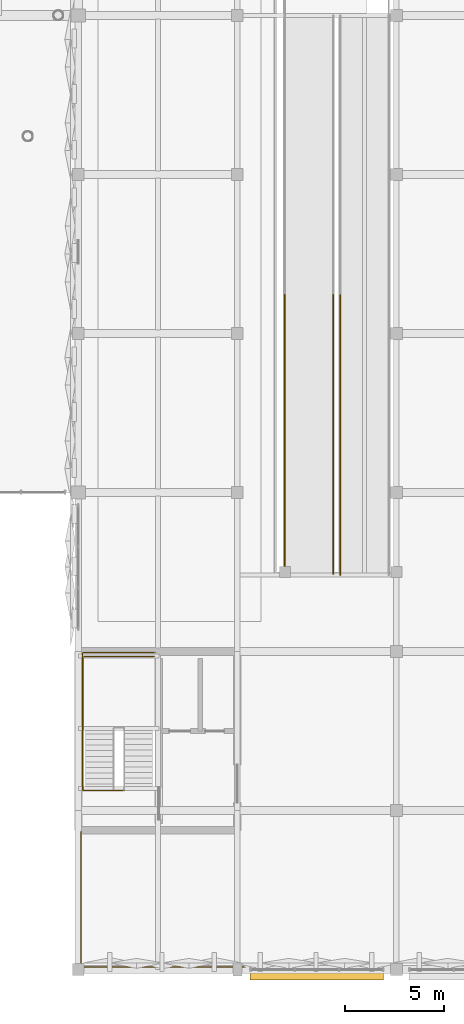
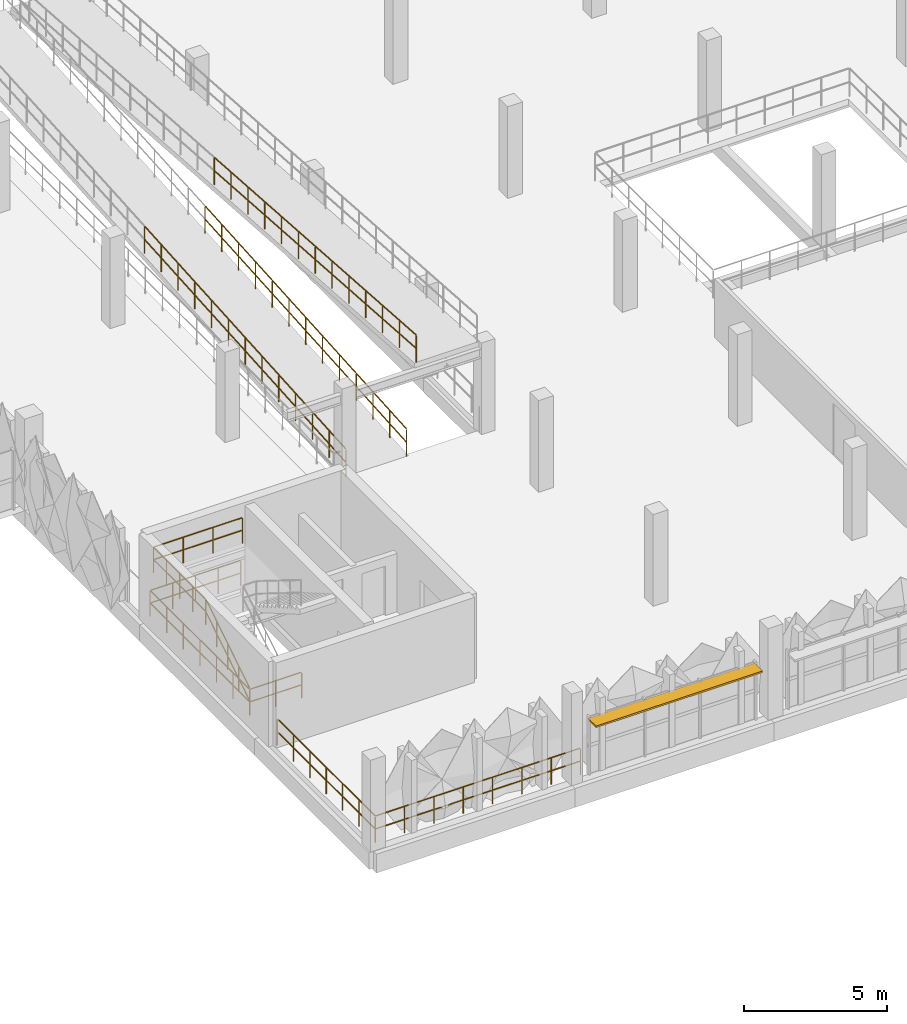
# One storey, part 115 of 123: 6 railings, 1 shading device.
"""IFC4 building model written with IfcOpenShell, lengths in metres."""

from ifc_helpers import new_model, si_unit, derived_unit, direction, frame, origin, origin_2d, place, context, subcontext, project, spatial, rectangle, circle, extrude, material, material_profile, profile_set, type_object, element, save


model = new_model("IFC4")

# Units and contexts
model_context = context("Model", 3, precision=1e-05, world=origin(), true_north=direction((0.0, 1.0)))
body_context = subcontext(model_context, "Body", "Model", "MODEL_VIEW")
ifc_project = project(units=[si_unit("LENGTHUNIT", "METRE"), si_unit("AREAUNIT", "SQUARE_METRE"), si_unit("VOLUMEUNIT", "CUBIC_METRE"), si_unit("PLANEANGLEUNIT", "RADIAN"), si_unit("MASSUNIT", "GRAM", prefix="KILO"), si_unit("THERMODYNAMICTEMPERATUREUNIT", "KELVIN"), derived_unit("THERMALTRANSMITTANCEUNIT", [(si_unit("POWERUNIT", "WATT"), 1), (si_unit("AREAUNIT", "SQUARE_METRE"), -1), (si_unit("THERMODYNAMICTEMPERATUREUNIT", "KELVIN"), -1)])], contexts=[model_context])

# Site, building, storey
site_placement = place(None, origin())
site = spatial("IfcSite", under=ifc_project, at=site_placement, CompositionType="ELEMENT")
building_placement = place(site_placement, origin())
building = spatial("IfcBuilding", under=site, at=building_placement, Name="Haiyu Intermodal Mobility Hub", CompositionType="ELEMENT")
storey_placement = place(building_placement, frame((0.0, 0.0, 5.60009765625)))
storey = spatial("IfcBuildingStorey", under=building, at=storey_placement, Name="L01", CompositionType="ELEMENT", Elevation=5.60009765625)

# Railings
ifc_material_1 = material(Name="Steel Q355C", Category="steel")
railing_type = type_object("IfcRailingType", Name="RAL-GR03", PredefinedType="GUARDRAIL", material=ifc_material_1)
railing_1_placement = place(storey_placement, frame((164.3798828125, 35.89990234375, 0.0)))
element("IfcRailing", 1, at=railing_1_placement, inside=storey, type_object=railing_type, Name="RAL-RMP-BIKE-L01-F1WA", PredefinedType="GUARDRAIL", context=body_context, shape_type="SweptSolid", body=[
    extrude(circle(Radius=0.02392578125, at=origin_2d()), frame((0.0, 0.030029296875, 1.157958984375), z_axis=(0.0, 0.997601562369, 0.069217936689), x_axis=(-1.0, 0.0, 0.0)), (0.0, 0.0, 1.0), 14.02392578125),
    extrude(circle(Radius=0.02392578125, at=origin_2d()), frame((0.0, 0.037109375, 0.592529296875), z_axis=(0.0, 0.997601562369, 0.069217936689), x_axis=(-1.0, 0.0, 0.0)), (0.0, 0.0, 1.0), 1.09912109375),
    extrude(circle(Radius=0.02392578125, at=origin_2d()), frame((0.0, 1.2080078125, 0.673828125), z_axis=(0.0, 0.997601562369, 0.069217936689), x_axis=(-1.0, 0.0, 0.0)), (0.0, 0.0, 1.0), 1.09912109375),
    extrude(circle(Radius=0.02392578125, at=origin_2d()), frame((0.0, 2.37890625, 0.755126953125), z_axis=(0.0, 0.997601562369, 0.069217936689), x_axis=(-1.0, 0.0, 0.0)), (0.0, 0.0, 1.0), 1.09912109375),
    extrude(circle(Radius=0.02392578125, at=origin_2d()), frame((0.0, 3.5498046875, 0.836181640625), z_axis=(0.0, 0.997601562369, 0.069217936689), x_axis=(-1.0, 0.0, 0.0)), (0.0, 0.0, 1.0), 1.09912109375),
    extrude(circle(Radius=0.02392578125, at=origin_2d()), frame((0.0, 4.720458984375, 0.91748046875), z_axis=(0.0, 0.997601562369, 0.069217936689), x_axis=(-1.0, 0.0, 0.0)), (0.0, 0.0, 1.0), 1.09912109375),
    extrude(circle(Radius=0.02392578125, at=origin_2d()), frame((0.0, 5.891357421875, 0.998779296875), z_axis=(0.0, 0.997601562369, 0.069217936689), x_axis=(-1.0, 0.0, 0.0)), (0.0, 0.0, 1.0), 1.09912109375),
    extrude(circle(Radius=0.02392578125, at=origin_2d()), frame((0.0, 7.062255859375, 1.080078125), z_axis=(0.0, 0.997601562369, 0.069217936689), x_axis=(-1.0, 0.0, 0.0)), (0.0, 0.0, 1.0), 1.09912109375),
    extrude(circle(Radius=0.02392578125, at=origin_2d()), frame((0.0, 8.233154296875, 1.1611328125), z_axis=(0.0, 0.997601562369, 0.069217936689), x_axis=(-1.0, 0.0, 0.0)), (0.0, 0.0, 1.0), 1.09912109375),
    extrude(circle(Radius=0.02392578125, at=origin_2d()), frame((0.0, 9.40380859375, 1.242431640625), z_axis=(0.0, 0.997601562369, 0.069217936689), x_axis=(-1.0, 0.0, 0.0)), (0.0, 0.0, 1.0), 1.09912109375),
    extrude(circle(Radius=0.02392578125, at=origin_2d()), frame((0.0, 10.57470703125, 1.32373046875), z_axis=(0.0, 0.997601562369, 0.069217936689), x_axis=(-1.0, 0.0, 0.0)), (0.0, 0.0, 1.0), 1.09912109375),
    extrude(circle(Radius=0.02392578125, at=origin_2d()), frame((0.0, 11.74560546875, 1.405029296875), z_axis=(0.0, 0.997601562369, 0.069217936689), x_axis=(-1.0, 0.0, 0.0)), (0.0, 0.0, 1.0), 1.09912109375),
    extrude(circle(Radius=0.02392578125, at=origin_2d()), frame((0.0, 12.91650390625, 1.486083984375), z_axis=(0.0, 0.997601562369, 0.069217936689), x_axis=(-1.0, 0.0, 0.0)), (0.0, 0.0, 1.0), 1.09912109375),
    extrude(circle(Radius=0.02099609375, at=origin_2d()), origin(), (0.0, 0.0, 1.0), 1.123779296875),
    extrude(circle(Radius=0.02099609375, at=origin_2d()), frame((0.0, 1.1708984375, 0.081298828125)), (0.0, 0.0, 1.0), 1.123779296875),
    extrude(circle(Radius=0.02099609375, at=origin_2d()), frame((0.0, 2.341796875, 0.16259765625)), (0.0, 0.0, 1.0), 1.123779296875),
    extrude(circle(Radius=0.02099609375, at=origin_2d()), frame((0.0, 3.512451171875, 0.24365234375)), (0.0, 0.0, 1.0), 1.123779296875),
    extrude(circle(Radius=0.02099609375, at=origin_2d()), frame((0.0, 4.683349609375, 0.324951171875)), (0.0, 0.0, 1.0), 1.123779296875),
    extrude(circle(Radius=0.02099609375, at=origin_2d()), frame((0.0, 5.854248046875, 0.40625)), (0.0, 0.0, 1.0), 1.123779296875),
    extrude(circle(Radius=0.02099609375, at=origin_2d()), frame((0.0, 7.02490234375, 0.4873046875)), (0.0, 0.0, 1.0), 1.123779296875),
    extrude(circle(Radius=0.02099609375, at=origin_2d()), frame((0.0, 8.19580078125, 0.568603515625)), (0.0, 0.0, 1.0), 1.123779296875),
    extrude(circle(Radius=0.02099609375, at=origin_2d()), frame((0.0, 9.36669921875, 0.64990234375)), (0.0, 0.0, 1.0), 1.123779296875),
    extrude(circle(Radius=0.02099609375, at=origin_2d()), frame((0.0, 10.53759765625, 0.731201171875)), (0.0, 0.0, 1.0), 1.123779296875),
    extrude(circle(Radius=0.02099609375, at=origin_2d()), frame((0.0, 11.70849609375, 0.8125)), (0.0, 0.0, 1.0), 1.123779296875),
    extrude(circle(Radius=0.02099609375, at=origin_2d()), frame((0.0, 12.879150390625, 0.8935546875)), (0.0, 0.0, 1.0), 1.123779296875),
    extrude(circle(Radius=0.02099609375, at=origin_2d()), frame((0.0, 14.050048828125, 0.974853515625)), (0.0, 0.0, 1.0), 1.123779296875),
])
railing_2_placement = place(storey_placement, frame((166.820068359375, 35.89990234375, 0.0)))
element("IfcRailing", 2, at=railing_2_placement, inside=storey, type_object=railing_type, Name="RAL-RMP-BIKE-L01-F1EA", PredefinedType="GUARDRAIL", context=body_context, shape_type="SweptSolid", body=[
    extrude(circle(Radius=0.02392578125, at=origin_2d()), frame((0.0, 0.030029296875, 1.157958984375), z_axis=(0.0, 0.997601562369, 0.069217936689), x_axis=(-1.0, 0.0, 0.0)), (0.0, 0.0, 1.0), 14.02392578125),
    extrude(circle(Radius=0.02392578125, at=origin_2d()), frame((0.0, 0.037109375, 0.592529296875), z_axis=(0.0, 0.997601562369, 0.069217936689), x_axis=(-1.0, 0.0, 0.0)), (0.0, 0.0, 1.0), 1.09912109375),
    extrude(circle(Radius=0.02392578125, at=origin_2d()), frame((0.0, 1.2080078125, 0.673828125), z_axis=(0.0, 0.997601562369, 0.069217936689), x_axis=(-1.0, 0.0, 0.0)), (0.0, 0.0, 1.0), 1.09912109375),
    extrude(circle(Radius=0.02392578125, at=origin_2d()), frame((0.0, 2.37890625, 0.755126953125), z_axis=(0.0, 0.997601562369, 0.069217936689), x_axis=(-1.0, 0.0, 0.0)), (0.0, 0.0, 1.0), 1.09912109375),
    extrude(circle(Radius=0.02392578125, at=origin_2d()), frame((0.0, 3.5498046875, 0.836181640625), z_axis=(0.0, 0.997601562369, 0.069217936689), x_axis=(-1.0, 0.0, 0.0)), (0.0, 0.0, 1.0), 1.09912109375),
    extrude(circle(Radius=0.02392578125, at=origin_2d()), frame((0.0, 4.720458984375, 0.91748046875), z_axis=(0.0, 0.997601562369, 0.069217936689), x_axis=(-1.0, 0.0, 0.0)), (0.0, 0.0, 1.0), 1.09912109375),
    extrude(circle(Radius=0.02392578125, at=origin_2d()), frame((0.0, 5.891357421875, 0.998779296875), z_axis=(0.0, 0.997601562369, 0.069217936689), x_axis=(-1.0, 0.0, 0.0)), (0.0, 0.0, 1.0), 1.09912109375),
    extrude(circle(Radius=0.02392578125, at=origin_2d()), frame((0.0, 7.062255859375, 1.080078125), z_axis=(0.0, 0.997601562369, 0.069217936689), x_axis=(-1.0, 0.0, 0.0)), (0.0, 0.0, 1.0), 1.09912109375),
    extrude(circle(Radius=0.02392578125, at=origin_2d()), frame((0.0, 8.233154296875, 1.1611328125), z_axis=(0.0, 0.997601562369, 0.069217936689), x_axis=(-1.0, 0.0, 0.0)), (0.0, 0.0, 1.0), 1.09912109375),
    extrude(circle(Radius=0.02392578125, at=origin_2d()), frame((0.0, 9.40380859375, 1.242431640625), z_axis=(0.0, 0.997601562369, 0.069217936689), x_axis=(-1.0, 0.0, 0.0)), (0.0, 0.0, 1.0), 1.09912109375),
    extrude(circle(Radius=0.02392578125, at=origin_2d()), frame((0.0, 10.57470703125, 1.32373046875), z_axis=(0.0, 0.997601562369, 0.069217936689), x_axis=(-1.0, 0.0, 0.0)), (0.0, 0.0, 1.0), 1.09912109375),
    extrude(circle(Radius=0.02392578125, at=origin_2d()), frame((0.0, 11.74560546875, 1.405029296875), z_axis=(0.0, 0.997601562369, 0.069217936689), x_axis=(-1.0, 0.0, 0.0)), (0.0, 0.0, 1.0), 1.09912109375),
    extrude(circle(Radius=0.02392578125, at=origin_2d()), frame((0.0, 12.91650390625, 1.486083984375), z_axis=(0.0, 0.997601562369, 0.069217936689), x_axis=(-1.0, 0.0, 0.0)), (0.0, 0.0, 1.0), 1.09912109375),
    extrude(circle(Radius=0.02099609375, at=origin_2d()), origin(), (0.0, 0.0, 1.0), 1.123779296875),
    extrude(circle(Radius=0.02099609375, at=origin_2d()), frame((0.0, 1.1708984375, 0.081298828125)), (0.0, 0.0, 1.0), 1.123779296875),
    extrude(circle(Radius=0.02099609375, at=origin_2d()), frame((0.0, 2.341796875, 0.16259765625)), (0.0, 0.0, 1.0), 1.123779296875),
    extrude(circle(Radius=0.02099609375, at=origin_2d()), frame((0.0, 3.512451171875, 0.24365234375)), (0.0, 0.0, 1.0), 1.123779296875),
    extrude(circle(Radius=0.02099609375, at=origin_2d()), frame((0.0, 4.683349609375, 0.324951171875)), (0.0, 0.0, 1.0), 1.123779296875),
    extrude(circle(Radius=0.02099609375, at=origin_2d()), frame((0.0, 5.854248046875, 0.40625)), (0.0, 0.0, 1.0), 1.123779296875),
    extrude(circle(Radius=0.02099609375, at=origin_2d()), frame((0.0, 7.02490234375, 0.4873046875)), (0.0, 0.0, 1.0), 1.123779296875),
    extrude(circle(Radius=0.02099609375, at=origin_2d()), frame((0.0, 8.19580078125, 0.568603515625)), (0.0, 0.0, 1.0), 1.123779296875),
    extrude(circle(Radius=0.02099609375, at=origin_2d()), frame((0.0, 9.36669921875, 0.64990234375)), (0.0, 0.0, 1.0), 1.123779296875),
    extrude(circle(Radius=0.02099609375, at=origin_2d()), frame((0.0, 10.53759765625, 0.731201171875)), (0.0, 0.0, 1.0), 1.123779296875),
    extrude(circle(Radius=0.02099609375, at=origin_2d()), frame((0.0, 11.70849609375, 0.8125)), (0.0, 0.0, 1.0), 1.123779296875),
    extrude(circle(Radius=0.02099609375, at=origin_2d()), frame((0.0, 12.879150390625, 0.8935546875)), (0.0, 0.0, 1.0), 1.123779296875),
    extrude(circle(Radius=0.02099609375, at=origin_2d()), frame((0.0, 14.050048828125, 0.974853515625)), (0.0, 0.0, 1.0), 1.123779296875),
])
railing_3_placement = place(storey_placement, frame((167.179931640625, 49.925048828125, 2.9248046875)))
element("IfcRailing", 3, at=railing_3_placement, inside=storey, type_object=railing_type, Name="RAL-RMP-BIKE-L01-F2WB", PredefinedType="GUARDRAIL", context=body_context, shape_type="SweptSolid", body=[
    extrude(circle(Radius=0.02392578125, at=origin_2d()), frame((0.0, -0.030029296875, 1.157958984375), z_axis=(0.0, -0.99760881849, 0.069113278539), x_axis=(1.0, 0.0, 0.0)), (0.0, 0.0, 1.0), 14.048583984375),
    extrude(circle(Radius=0.02392578125, at=origin_2d()), frame((0.0, -0.037109375, 0.592529296875), z_axis=(0.0, -0.99760881849, 0.069113278539), x_axis=(1.0, 0.0, 0.0)), (0.0, 0.0, 1.0), 1.10107421875),
    extrude(circle(Radius=0.02392578125, at=origin_2d()), frame((0.0, -1.210205078125, 0.673828125), z_axis=(0.0, -0.99760881849, 0.069113278539), x_axis=(1.0, 0.0, 0.0)), (0.0, 0.0, 1.0), 1.10107421875),
    extrude(circle(Radius=0.02392578125, at=origin_2d()), frame((0.0, -2.383056640625, 0.755126953125), z_axis=(0.0, -0.99760881849, 0.069113278539), x_axis=(1.0, 0.0, 0.0)), (0.0, 0.0, 1.0), 1.10107421875),
    extrude(circle(Radius=0.02392578125, at=origin_2d()), frame((0.0, -3.555908203125, 0.83642578125), z_axis=(0.0, -0.99760881849, 0.069113278539), x_axis=(1.0, 0.0, 0.0)), (0.0, 0.0, 1.0), 1.10107421875),
    extrude(circle(Radius=0.02392578125, at=origin_2d()), frame((0.0, -4.728759765625, 0.91748046875), z_axis=(0.0, -0.99760881849, 0.069113278539), x_axis=(1.0, 0.0, 0.0)), (0.0, 0.0, 1.0), 1.10107421875),
    extrude(circle(Radius=0.02392578125, at=origin_2d()), frame((0.0, -5.90185546875, 0.998779296875), z_axis=(0.0, -0.99760881849, 0.069113278539), x_axis=(1.0, 0.0, 0.0)), (0.0, 0.0, 1.0), 1.10107421875),
    extrude(circle(Radius=0.02392578125, at=origin_2d()), frame((0.0, -7.07470703125, 1.080078125), z_axis=(0.0, -0.99760881849, 0.069113278539), x_axis=(1.0, 0.0, 0.0)), (0.0, 0.0, 1.0), 1.10107421875),
    extrude(circle(Radius=0.02392578125, at=origin_2d()), frame((0.0, -8.24755859375, 1.161376953125), z_axis=(0.0, -0.99760881849, 0.069113278539), x_axis=(1.0, 0.0, 0.0)), (0.0, 0.0, 1.0), 1.10107421875),
    extrude(circle(Radius=0.02392578125, at=origin_2d()), frame((0.0, -9.42041015625, 1.24267578125), z_axis=(0.0, -0.99760881849, 0.069113278539), x_axis=(1.0, 0.0, 0.0)), (0.0, 0.0, 1.0), 1.10107421875),
    extrude(circle(Radius=0.02392578125, at=origin_2d()), frame((0.0, -10.593505859375, 1.323974609375), z_axis=(0.0, -0.99760881849, 0.069113278539), x_axis=(1.0, 0.0, 0.0)), (0.0, 0.0, 1.0), 1.10107421875),
    extrude(circle(Radius=0.02392578125, at=origin_2d()), frame((0.0, -11.766357421875, 1.405029296875), z_axis=(0.0, -0.99760881849, 0.069113278539), x_axis=(1.0, 0.0, 0.0)), (0.0, 0.0, 1.0), 1.10107421875),
    extrude(circle(Radius=0.02392578125, at=origin_2d()), frame((0.0, -12.939208984375, 1.486328125), z_axis=(0.0, -0.99760881849, 0.069113278539), x_axis=(1.0, 0.0, 0.0)), (0.0, 0.0, 1.0), 1.10107421875),
    extrude(circle(Radius=0.02099609375, at=origin_2d()), origin(), (0.0, 0.0, 1.0), 1.123779296875),
    extrude(circle(Radius=0.02099609375, at=origin_2d()), frame((0.0, -1.1728515625, 0.081298828125)), (0.0, 0.0, 1.0), 1.123779296875),
    extrude(circle(Radius=0.02099609375, at=origin_2d()), frame((0.0, -2.345703125, 0.16259765625)), (0.0, 0.0, 1.0), 1.123779296875),
    extrude(circle(Radius=0.02099609375, at=origin_2d()), frame((0.0, -3.518798828125, 0.24365234375)), (0.0, 0.0, 1.0), 1.123779296875),
    extrude(circle(Radius=0.02099609375, at=origin_2d()), frame((0.0, -4.691650390625, 0.324951171875)), (0.0, 0.0, 1.0), 1.123779296875),
    extrude(circle(Radius=0.02099609375, at=origin_2d()), frame((0.0, -5.864501953125, 0.40625)), (0.0, 0.0, 1.0), 1.123779296875),
    extrude(circle(Radius=0.02099609375, at=origin_2d()), frame((0.0, -7.03759765625, 0.487548828125)), (0.0, 0.0, 1.0), 1.123779296875),
    extrude(circle(Radius=0.02099609375, at=origin_2d()), frame((0.0, -8.21044921875, 0.56884765625)), (0.0, 0.0, 1.0), 1.123779296875),
    extrude(circle(Radius=0.02099609375, at=origin_2d()), frame((0.0, -9.38330078125, 0.650146484375)), (0.0, 0.0, 1.0), 1.123779296875),
    extrude(circle(Radius=0.02099609375, at=origin_2d()), frame((0.0, -10.55615234375, 0.7314453125)), (0.0, 0.0, 1.0), 1.123779296875),
    extrude(circle(Radius=0.02099609375, at=origin_2d()), frame((0.0, -11.72900390625, 0.8125)), (0.0, 0.0, 1.0), 1.123779296875),
    extrude(circle(Radius=0.02099609375, at=origin_2d()), frame((0.0, -12.902099609375, 0.893798828125)), (0.0, 0.0, 1.0), 1.123779296875),
    extrude(circle(Radius=0.02099609375, at=origin_2d()), frame((0.0, -14.074951171875, 0.97509765625)), (0.0, 0.0, 1.0), 1.123779296875),
])
railing_4_placement = place(storey_placement, frame((154.139892578125, 22.949951171875, 0.0)))
element("IfcRailing", 4, at=railing_4_placement, inside=storey, type_object=railing_type, Name="RAL-V5SW-L01", PredefinedType="GUARDRAIL", context=body_context, shape_type="SweptSolid", body=[
    extrude(circle(Radius=0.02392578125, at=origin_2d()), frame((0.0, -0.030029296875, 1.1259765625), z_axis=(0.0, -1.0, 0.0), x_axis=(1.0, 0.0, 0.0)), (0.0, 0.0, 1.0), 6.769775390625),
    extrude(circle(Radius=0.02392578125, at=origin_2d()), frame((0.0, -0.037353515625, 0.574951171875), z_axis=(0.0, -1.0, 0.0), x_axis=(1.0, 0.0, 0.0)), (0.0, 0.0, 1.0), 1.063720703125),
    extrude(circle(Radius=0.02392578125, at=origin_2d()), frame((0.0, -1.175537109375, 0.574951171875), z_axis=(0.0, -1.0, 0.0), x_axis=(1.0, 0.0, 0.0)), (0.0, 0.0, 1.0), 1.063720703125),
    extrude(circle(Radius=0.02392578125, at=origin_2d()), frame((0.0, -2.31396484375, 0.574951171875), z_axis=(0.0, -1.0, 0.0), x_axis=(1.0, 0.0, 0.0)), (0.0, 0.0, 1.0), 1.063720703125),
    extrude(circle(Radius=0.02392578125, at=origin_2d()), frame((0.0, -3.4521484375, 0.574951171875), z_axis=(0.0, -1.0, 0.0), x_axis=(1.0, 0.0, 0.0)), (0.0, 0.0, 1.0), 1.063720703125),
    extrude(circle(Radius=0.02392578125, at=origin_2d()), frame((0.0, -4.590576171875, 0.574951171875), z_axis=(0.0, -1.0, 0.0), x_axis=(1.0, 0.0, 0.0)), (0.0, 0.0, 1.0), 1.063720703125),
    extrude(circle(Radius=0.02392578125, at=origin_2d()), frame((0.0, -5.728759765625, 0.574951171875), z_axis=(0.0, -1.0, 0.0), x_axis=(1.0, 0.0, 0.0)), (0.0, 0.0, 1.0), 1.063720703125),
    extrude(circle(Radius=0.02392578125, at=origin_2d()), frame((0.030029296875, -6.829833984375, 1.1259765625), z_axis=(1.0, 0.0, 0.0), x_axis=(0.0, 1.0, 0.0)), (0.0, 0.0, 1.0), 8.199951171875),
    extrude(circle(Radius=0.02392578125, at=origin_2d()), frame((0.037353515625, -6.829833984375, 0.574951171875), z_axis=(1.0, 0.0, 0.0), x_axis=(0.0, 1.0, 0.0)), (0.0, 0.0, 1.0), 1.10546875),
    extrude(circle(Radius=0.02392578125, at=origin_2d()), frame((1.21728515625, -6.829833984375, 0.574951171875), z_axis=(1.0, 0.0, 0.0), x_axis=(0.0, 1.0, 0.0)), (0.0, 0.0, 1.0), 1.10546875),
    extrude(circle(Radius=0.02392578125, at=origin_2d()), frame((2.397216796875, -6.829833984375, 0.574951171875), z_axis=(1.0, 0.0, 0.0), x_axis=(0.0, 1.0, 0.0)), (0.0, 0.0, 1.0), 1.10546875),
    extrude(circle(Radius=0.02392578125, at=origin_2d()), frame((3.577392578125, -6.829833984375, 0.574951171875), z_axis=(1.0, 0.0, 0.0), x_axis=(0.0, 1.0, 0.0)), (0.0, 0.0, 1.0), 1.10546875),
    extrude(circle(Radius=0.02392578125, at=origin_2d()), frame((4.75732421875, -6.829833984375, 0.574951171875), z_axis=(1.0, 0.0, 0.0), x_axis=(0.0, 1.0, 0.0)), (0.0, 0.0, 1.0), 1.10546875),
    extrude(circle(Radius=0.02392578125, at=origin_2d()), frame((5.937255859375, -6.829833984375, 0.574951171875), z_axis=(1.0, 0.0, 0.0), x_axis=(0.0, 1.0, 0.0)), (0.0, 0.0, 1.0), 1.10546875),
    extrude(circle(Radius=0.02392578125, at=origin_2d()), frame((7.1171875, -6.829833984375, 0.574951171875), z_axis=(1.0, 0.0, 0.0), x_axis=(0.0, 1.0, 0.0)), (0.0, 0.0, 1.0), 1.10546875),
    extrude(circle(Radius=0.02099609375, at=origin_2d()), origin(), (0.0, 0.0, 1.0), 1.09375),
    extrude(circle(Radius=0.02099609375, at=origin_2d()), frame((0.0, -1.13818359375, 0.0)), (0.0, 0.0, 1.0), 1.09375),
    extrude(circle(Radius=0.02099609375, at=origin_2d()), frame((0.0, -2.276611328125, 0.0)), (0.0, 0.0, 1.0), 1.09375),
    extrude(circle(Radius=0.02099609375, at=origin_2d()), frame((0.0, -3.4150390625, 0.0)), (0.0, 0.0, 1.0), 1.09375),
    extrude(circle(Radius=0.02099609375, at=origin_2d()), frame((0.0, -4.55322265625, 0.0)), (0.0, 0.0, 1.0), 1.09375),
    extrude(circle(Radius=0.02099609375, at=origin_2d()), frame((0.0, -5.69140625, 0.0)), (0.0, 0.0, 1.0), 1.09375),
    extrude(circle(Radius=0.02099609375, at=origin_2d()), frame((0.0, -6.829833984375, 0.0)), (0.0, 0.0, 1.0), 1.09375),
    extrude(circle(Radius=0.02099609375, at=origin_2d()), frame((1.179931640625, -6.829833984375, 0.0)), (0.0, 0.0, 1.0), 1.09375),
    extrude(circle(Radius=0.02099609375, at=origin_2d()), frame((2.360107421875, -6.829833984375, 0.0)), (0.0, 0.0, 1.0), 1.09375),
    extrude(circle(Radius=0.02099609375, at=origin_2d()), frame((3.5400390625, -6.829833984375, 0.0)), (0.0, 0.0, 1.0), 1.09375),
    extrude(circle(Radius=0.02099609375, at=origin_2d()), frame((4.719970703125, -6.829833984375, 0.0)), (0.0, 0.0, 1.0), 1.09375),
    extrude(circle(Radius=0.02099609375, at=origin_2d()), frame((5.89990234375, -6.829833984375, 0.0)), (0.0, 0.0, 1.0), 1.09375),
    extrude(circle(Radius=0.02099609375, at=origin_2d()), frame((7.080078125, -6.829833984375, 0.0)), (0.0, 0.0, 1.0), 1.09375),
    extrude(circle(Radius=0.02099609375, at=origin_2d()), frame((8.260009765625, -6.829833984375, 0.0)), (0.0, 0.0, 1.0), 1.09375),
])
railing_5_placement = place(storey_placement, frame((156.31005859375, 25.010009765625, 0.0)))
element("IfcRailing", 5, at=railing_5_placement, inside=storey, type_object=railing_type, Name="Stair Shaft Floor Guard STR-C8-L00", PredefinedType="GUARDRAIL", context=body_context, shape_type="SweptSolid", body=[
    extrude(circle(Radius=0.02392578125, at=origin_2d()), frame((-0.030029296875, 0.0, 1.09619140625), z_axis=(-1.0, 0.0, 0.0), x_axis=(0.0, -1.0, 0.0)), (0.0, 0.0, 1.0), 2.030029296875),
    extrude(circle(Radius=0.02392578125, at=origin_2d()), frame((-0.037353515625, 0.0, 0.56005859375), z_axis=(-1.0, 0.0, 0.0), x_axis=(0.0, -1.0, 0.0)), (0.0, 0.0, 1.0), 0.970458984375),
    extrude(circle(Radius=0.02392578125, at=origin_2d()), frame((-1.082275390625, 0.0, 0.56005859375), z_axis=(-1.0, 0.0, 0.0), x_axis=(0.0, -1.0, 0.0)), (0.0, 0.0, 1.0), 0.970458984375),
    extrude(circle(Radius=0.02392578125, at=origin_2d()), frame((-2.090087890625, 0.030029296875, 1.09619140625), z_axis=(0.0, 1.0, 0.0), x_axis=(-1.0, 0.0, 0.0)), (0.0, 0.0, 1.0), 6.8798828125),
    extrude(circle(Radius=0.02392578125, at=origin_2d()), frame((-2.090087890625, 0.037353515625, 0.56005859375), z_axis=(0.0, 1.0, 0.0), x_axis=(-1.0, 0.0, 0.0)), (0.0, 0.0, 1.0), 1.08203125),
    extrude(circle(Radius=0.02392578125, at=origin_2d()), frame((-2.090087890625, 1.19384765625, 0.56005859375), z_axis=(0.0, 1.0, 0.0), x_axis=(-1.0, 0.0, 0.0)), (0.0, 0.0, 1.0), 1.08203125),
    extrude(circle(Radius=0.02392578125, at=origin_2d()), frame((-2.090087890625, 2.3505859375, 0.56005859375), z_axis=(0.0, 1.0, 0.0), x_axis=(-1.0, 0.0, 0.0)), (0.0, 0.0, 1.0), 1.08203125),
    extrude(circle(Radius=0.02392578125, at=origin_2d()), frame((-2.090087890625, 3.50732421875, 0.56005859375), z_axis=(0.0, 1.0, 0.0), x_axis=(-1.0, 0.0, 0.0)), (0.0, 0.0, 1.0), 1.08203125),
    extrude(circle(Radius=0.02392578125, at=origin_2d()), frame((-2.090087890625, 4.663818359375, 0.56005859375), z_axis=(0.0, 1.0, 0.0), x_axis=(-1.0, 0.0, 0.0)), (0.0, 0.0, 1.0), 1.08203125),
    extrude(circle(Radius=0.02392578125, at=origin_2d()), frame((-2.090087890625, 5.820556640625, 0.56005859375), z_axis=(0.0, 1.0, 0.0), x_axis=(-1.0, 0.0, 0.0)), (0.0, 0.0, 1.0), 1.08203125),
    extrude(circle(Radius=0.02392578125, at=origin_2d()), frame((-2.06005859375, 6.93994140625, 1.09619140625), z_axis=(1.0, 0.0, 0.0), x_axis=(0.0, 1.0, 0.0)), (0.0, 0.0, 1.0), 3.590087890625),
    extrude(circle(Radius=0.02392578125, at=origin_2d()), frame((-2.052734375, 6.93994140625, 0.56005859375), z_axis=(1.0, 0.0, 0.0), x_axis=(0.0, 1.0, 0.0)), (0.0, 0.0, 1.0), 0.837890625),
    extrude(circle(Radius=0.02392578125, at=origin_2d()), frame((-1.14013671875, 6.93994140625, 0.56005859375), z_axis=(1.0, 0.0, 0.0), x_axis=(0.0, 1.0, 0.0)), (0.0, 0.0, 1.0), 0.837890625),
    extrude(circle(Radius=0.02392578125, at=origin_2d()), frame((-0.227783203125, 6.93994140625, 0.56005859375), z_axis=(1.0, 0.0, 0.0), x_axis=(0.0, 1.0, 0.0)), (0.0, 0.0, 1.0), 0.837890625),
    extrude(circle(Radius=0.02392578125, at=origin_2d()), frame((0.684814453125, 6.93994140625, 0.56005859375), z_axis=(1.0, 0.0, 0.0), x_axis=(0.0, 1.0, 0.0)), (0.0, 0.0, 1.0), 0.837890625),
    extrude(circle(Radius=0.02099609375, at=origin_2d()), origin(), (0.0, 0.0, 1.0), 1.06396484375),
    extrude(circle(Radius=0.02099609375, at=origin_2d()), frame((-1.044921875, 0.0, 0.0)), (0.0, 0.0, 1.0), 1.06396484375),
    extrude(circle(Radius=0.02099609375, at=origin_2d()), frame((-2.090087890625, 0.0, 0.0)), (0.0, 0.0, 1.0), 1.06396484375),
    extrude(circle(Radius=0.02099609375, at=origin_2d()), frame((-2.090087890625, 1.15673828125, 0.0)), (0.0, 0.0, 1.0), 1.06396484375),
    extrude(circle(Radius=0.02099609375, at=origin_2d()), frame((-2.090087890625, 2.313232421875, 0.0)), (0.0, 0.0, 1.0), 1.06396484375),
    extrude(circle(Radius=0.02099609375, at=origin_2d()), frame((-2.090087890625, 3.469970703125, 0.0)), (0.0, 0.0, 1.0), 1.06396484375),
    extrude(circle(Radius=0.02099609375, at=origin_2d()), frame((-2.090087890625, 4.626708984375, 0.0)), (0.0, 0.0, 1.0), 1.06396484375),
    extrude(circle(Radius=0.02099609375, at=origin_2d()), frame((-2.090087890625, 5.783203125, 0.0)), (0.0, 0.0, 1.0), 1.06396484375),
    extrude(circle(Radius=0.02099609375, at=origin_2d()), frame((-2.090087890625, 6.93994140625, 0.0)), (0.0, 0.0, 1.0), 1.06396484375),
    extrude(circle(Radius=0.02099609375, at=origin_2d()), frame((-1.177490234375, 6.93994140625, 0.0)), (0.0, 0.0, 1.0), 1.06396484375),
    extrude(circle(Radius=0.02099609375, at=origin_2d()), frame((-0.26513671875, 6.93994140625, 0.0)), (0.0, 0.0, 1.0), 1.06396484375),
    extrude(circle(Radius=0.02099609375, at=origin_2d()), frame((0.6474609375, 6.93994140625, 0.0)), (0.0, 0.0, 1.0), 1.06396484375),
    extrude(circle(Radius=0.02099609375, at=origin_2d()), frame((1.56005859375, 6.93994140625, 0.0)), (0.0, 0.0, 1.0), 1.06396484375),
])
railing_6_placement = place(storey_placement, frame((154.25, 25.050048828125, 0.0)))
element("IfcRailing", 6, at=railing_6_placement, inside=storey, type_object=railing_type, Name="Stair Outer Guard STR-C8-L01", PredefinedType="GUARDRAIL", context=body_context, shape_type="SweptSolid", body=[
    extrude(circle(Radius=0.02392578125, at=origin_2d()), frame((0.0, 0.025390625, 1.112060546875), z_axis=(0.0, 0.844894753029, 0.534932571736), x_axis=(-1.0, 0.0, 0.0)), (0.0, 0.0, 1.0), 3.585205078125),
    extrude(circle(Radius=0.02392578125, at=origin_2d()), frame((0.0, 0.031494140625, 0.580078125), z_axis=(0.0, 0.844894753029, 0.534932571736), x_axis=(-1.0, 0.0, 0.0)), (0.0, 0.0, 1.0), 0.836669921875),
    extrude(circle(Radius=0.02392578125, at=origin_2d()), frame((0.0, 0.801513671875, 1.0673828125), z_axis=(0.0, 0.844894753029, 0.534932571736), x_axis=(-1.0, 0.0, 0.0)), (0.0, 0.0, 1.0), 0.836669921875),
    extrude(circle(Radius=0.02392578125, at=origin_2d()), frame((0.0, 1.571533203125, 1.554931640625), z_axis=(0.0, 0.844894753029, 0.534932571736), x_axis=(-1.0, 0.0, 0.0)), (0.0, 0.0, 1.0), 0.836669921875),
    extrude(circle(Radius=0.02392578125, at=origin_2d()), frame((0.0, 2.34130859375, 2.04248046875), z_axis=(0.0, 0.844894753029, 0.534932571736), x_axis=(-1.0, 0.0, 0.0)), (0.0, 0.0, 1.0), 0.836669921875),
    extrude(circle(Radius=0.02392578125, at=origin_2d()), frame((0.0, 3.10986328125, 3.0458984375), z_axis=(0.0, 1.0, 0.0), x_axis=(-1.0, 0.0, 0.0)), (0.0, 0.0, 1.0), 3.570068359375),
    extrude(circle(Radius=0.02392578125, at=origin_2d()), frame((0.0, 3.1171875, 2.510009765625), z_axis=(0.0, 1.0, 0.0), x_axis=(-1.0, 0.0, 0.0)), (0.0, 0.0, 1.0), 0.8330078125),
    extrude(circle(Radius=0.02392578125, at=origin_2d()), frame((0.0, 4.024658203125, 2.510009765625), z_axis=(0.0, 1.0, 0.0), x_axis=(-1.0, 0.0, 0.0)), (0.0, 0.0, 1.0), 0.8330078125),
    extrude(circle(Radius=0.02392578125, at=origin_2d()), frame((0.0, 4.93212890625, 2.510009765625), z_axis=(0.0, 1.0, 0.0), x_axis=(-1.0, 0.0, 0.0)), (0.0, 0.0, 1.0), 0.8330078125),
    extrude(circle(Radius=0.02392578125, at=origin_2d()), frame((0.0, 5.83984375, 2.510009765625), z_axis=(0.0, 1.0, 0.0), x_axis=(-1.0, 0.0, 0.0)), (0.0, 0.0, 1.0), 0.8330078125),
    extrude(circle(Radius=0.02392578125, at=origin_2d()), frame((0.030029296875, 6.7099609375, 3.0458984375), z_axis=(1.0, 0.0, 0.0), x_axis=(0.0, 1.0, 0.0)), (0.0, 0.0, 1.0), 3.52001953125),
    extrude(circle(Radius=0.02392578125, at=origin_2d()), frame((0.037353515625, 6.7099609375, 2.510009765625), z_axis=(1.0, 0.0, 0.0), x_axis=(0.0, 1.0, 0.0)), (0.0, 0.0, 1.0), 1.11865234375),
    extrude(circle(Radius=0.02392578125, at=origin_2d()), frame((1.230712890625, 6.7099609375, 2.510009765625), z_axis=(1.0, 0.0, 0.0), x_axis=(0.0, 1.0, 0.0)), (0.0, 0.0, 1.0), 1.11865234375),
    extrude(circle(Radius=0.02392578125, at=origin_2d()), frame((2.424072265625, 6.7099609375, 2.510009765625), z_axis=(1.0, 0.0, 0.0), x_axis=(0.0, 1.0, 0.0)), (0.0, 0.0, 1.0), 1.11865234375),
    extrude(circle(Radius=0.02099609375, at=origin_2d()), origin(), (0.0, 0.0, 1.0), 1.06396484375),
    extrude(circle(Radius=0.02099609375, at=origin_2d()), frame((0.0, 0.77001953125, 0.487548828125)), (0.0, 0.0, 1.0), 1.06396484375),
    extrude(circle(Radius=0.02099609375, at=origin_2d()), frame((0.0, 1.5400390625, 0.97509765625)), (0.0, 0.0, 1.0), 1.06396484375),
    extrude(circle(Radius=0.02099609375, at=origin_2d()), frame((0.0, 2.309814453125, 1.46240234375)), (0.0, 0.0, 1.0), 1.06396484375),
    extrude(circle(Radius=0.02099609375, at=origin_2d()), frame((0.0, 3.079833984375, 1.949951171875)), (0.0, 0.0, 1.0), 1.06396484375),
    extrude(circle(Radius=0.02099609375, at=origin_2d()), frame((0.0, 3.9873046875, 1.949951171875)), (0.0, 0.0, 1.0), 1.06396484375),
    extrude(circle(Radius=0.02099609375, at=origin_2d()), frame((0.0, 4.89501953125, 1.949951171875)), (0.0, 0.0, 1.0), 1.06396484375),
    extrude(circle(Radius=0.02099609375, at=origin_2d()), frame((0.0, 5.802490234375, 1.949951171875)), (0.0, 0.0, 1.0), 1.06396484375),
    extrude(circle(Radius=0.02099609375, at=origin_2d()), frame((0.0, 6.7099609375, 1.949951171875)), (0.0, 0.0, 1.0), 1.06396484375),
    extrude(circle(Radius=0.02099609375, at=origin_2d()), frame((1.193359375, 6.7099609375, 1.949951171875)), (0.0, 0.0, 1.0), 1.06396484375),
    extrude(circle(Radius=0.02099609375, at=origin_2d()), frame((2.38671875, 6.7099609375, 1.949951171875)), (0.0, 0.0, 1.0), 1.06396484375),
    extrude(circle(Radius=0.02099609375, at=origin_2d()), frame((3.580078125, 6.7099609375, 1.949951171875)), (0.0, 0.0, 1.0), 1.06396484375),
])

# Shading device
ifc_material_2 = material(Name="Anodised aluminium 6063-T6", Category="aluminium")
ifc_material_profile = material_profile(ifc_material_2, rectangle(XDim=0.080078125, YDim=0.449951171875, at=origin_2d()), Name="FIN80x450")
ifc_profile_set = profile_set([ifc_material_profile], Name="Anodised aluminium 6063-T6")
shading_device_type = type_object("IfcShadingDeviceType", Name="SHD-SD01", PredefinedType="JALOUSIE", material=ifc_profile_set)
shading_device_placement = place(storey_placement, frame((166.0, 15.75, 2.29248046875), z_axis=(0.0, 0.0, 1.0), x_axis=(1.0, 0.0, 0.0)))
element("IfcShadingDevice", 7, at=shading_device_placement, inside=storey, type_object=shading_device_type, Name="SHD-V5S-022", PredefinedType="JALOUSIE", context=body_context, shape_type="SweptSolid", body=[
    extrude(rectangle(XDim=6.699951171875, YDim=0.550048828125, at=origin_2d()), origin(), (0.0, 0.0, 1.0), 0.074951171875),
])

save(model, "model.ifc")
